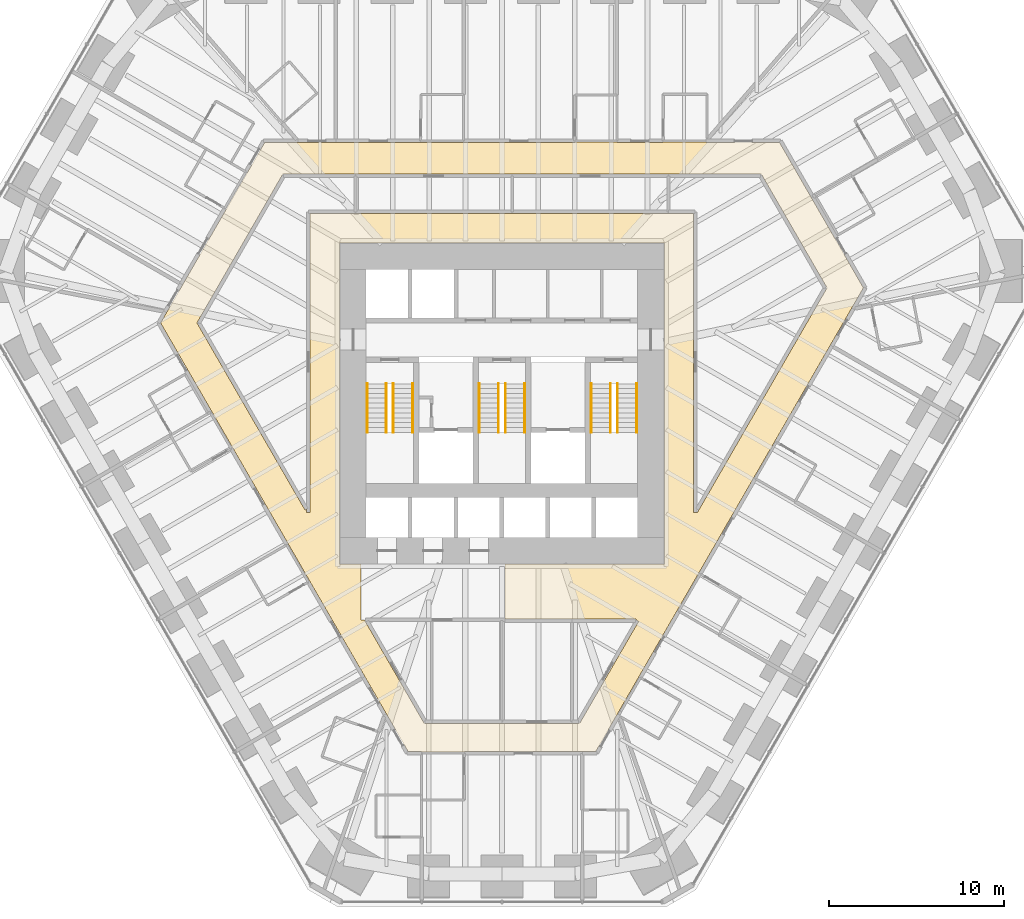
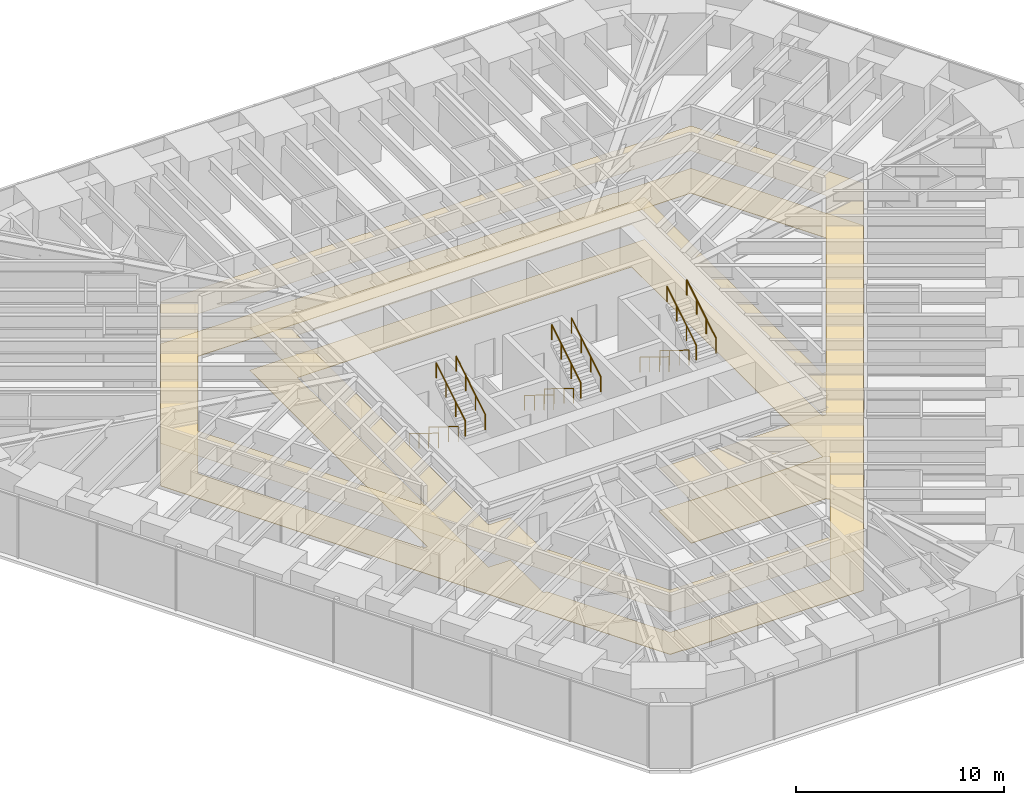
# One storey, part 17 of 17: 12 railings, 2 coverings.
"""IFC4 building model written with IfcOpenShell, lengths in metres."""

from ifc_helpers import new_model, si_unit, direction, frame, origin, origin_2d, place, context, subcontext, project, spatial, polyline, circle, outline, extrude, material, layer, layer_set, type_object, element, save


model = new_model("IFC4")

# Units and contexts
model_context = context("Model", 3, precision=1e-05, world=origin(), true_north=direction((0.0, 1.0)))
body_context = subcontext(model_context, "Body", "Model", "MODEL_VIEW")
ifc_project = project(units=[si_unit("LENGTHUNIT", "METRE"), si_unit("AREAUNIT", "SQUARE_METRE"), si_unit("VOLUMEUNIT", "CUBIC_METRE"), si_unit("PLANEANGLEUNIT", "RADIAN"), si_unit("MASSUNIT", "GRAM", prefix="KILO")], contexts=[model_context])

# Site, building, storey
site_placement = place(None, origin())
site = spatial("IfcSite", under=ifc_project, at=site_placement, CompositionType="ELEMENT")
building_placement = place(site_placement, origin())
building = spatial("IfcBuilding", under=site, at=building_placement, Name="Sandreach Pilgrim Tower", CompositionType="ELEMENT")
storey_placement = place(building_placement, frame((0.0, 0.0, 61.0)))
storey = spatial("IfcBuildingStorey", under=building, at=storey_placement, Name="L14", CompositionType="ELEMENT", Elevation=61.0)

# Covering
ifc_material_1 = material(Name="Gypsum board suspended ceiling on a steel grid", Category="steel")
ifc_layer_1 = layer(ifc_material_1, 0.012939453125)
ifc_layer_set_1 = layer_set([ifc_layer_1], Name="Gypsum board suspended ceiling")
covering_type_1 = type_object("IfcCoveringType", Name="Gypsum board suspended ceiling", PredefinedType="CEILING", material=ifc_layer_set_1)
covering_1_placement = place(storey_placement, frame((0.0, 0.0, 2.5)))
element("IfcCovering", 1, at=covering_1_placement, inside=storey, type_object=covering_type_1, Name="Ceiling 14C Corridor 14", PredefinedType="CEILING", context=body_context, shape_type="SweptSolid", body=[
    extrude(outline(polyline([(-19.49462890625, 3.06005859375), (-13.55224609375, 13.35009765625), (-4.639892578125, 13.35009765625), (-4.639892578125, 13.3642578125), (-2.18994140625, 13.367919921875), (-2.18994140625, 13.35009765625), (4.159912109375, 13.35009765625), (4.159912109375, 13.378173828125), (6.56005859375, 13.3818359375), (6.56005859375, 13.35009765625), (9.2099609375, 13.35009765625), (9.2099609375, 13.38623046875), (11.64990234375, 13.389892578125), (11.64990234375, 13.35009765625), (15.8623046875, 13.35009765625), (20.64453125, 5.059814453125), (5.3623046875, -21.409912109375), (-2.139892578125, -21.409912109375), (-2.139892578125, -21.440185546875), (-4.590087890625, -21.449951171875), (-4.590087890625, -21.409912109375), (-5.3623046875, -21.409912109375), (-19.49462890625, 3.06005859375)]), holes=[polyline([(-17.41552734375, 3.06005859375), (-11.24658203125, -7.61962890625), (-11.14990234375, -7.563720703125), (-11.14990234375, -7.760009765625), (-10.949951171875, -7.760009765625), (-10.949951171875, 9.300048828125), (10.949951171875, 9.300048828125), (10.949951171875, -7.760009765625), (11.16552734375, -7.760009765625), (18.5654296875, 5.06005859375), (14.817626953125, 11.550048828125), (-12.517822265625, 11.550048828125), (-17.41552734375, 3.06005859375)]), polyline([(-8.050048828125, -10.719970703125), (-8.050048828125, -13.89990234375), (-7.8544921875, -13.89990234375), (-4.437744140625, -19.81005859375), (4.437744140625, -19.81005859375), (7.796630859375, -14.0), (7.635009765625, -13.85009765625), (0.179931640625, -13.85009765625), (0.175048828125, -10.719970703125), (9.27001953125, -10.719970703125), (9.27001953125, 7.6201171875), (-9.27001953125, 7.6201171875), (-9.27001953125, -10.719970703125), (-8.050048828125, -10.719970703125)])]), origin(), (0.0, 0.0, 1.0), 0.012939453125),
])

# Railings
ifc_material_2 = material(Name="Stainless steel tube", Category="steel")
railing_type = type_object("IfcRailingType", Name="Stair handrail", PredefinedType="HANDRAIL", material=ifc_material_2)
for number, where, name in (
    (2, (-6.60009765625, -0.39990234375, 0.172607421875), "Handrail ST1 L14 flight 1"),
    (3, (-7.699951171875, -0.39990234375, 0.172607421875), "Handrail ST1 L14 flight 1"),
):
    element("IfcRailing", number, at=place(storey_placement, frame(where)), inside=storey, type_object=railing_type, Name=name, PredefinedType="HANDRAIL", context=body_context, shape_type="SweptSolid", body=[
        extrude(circle(Radius=0.02392578125, at=origin_2d()), frame((0.0, 0.0, 0.8759765625), z_axis=(0.0, -0.851089632645, 0.525020415988), x_axis=(1.0, 0.0, 0.0)), (0.0, 0.0, 1.0), 3.2900390625),
        extrude(circle(Radius=0.02099609375, at=origin_2d()), origin(), (0.0, 0.0, 1.0), 0.851806640625),
        extrude(circle(Radius=0.02099609375, at=origin_2d()), frame((0.0, -0.933349609375, 0.57568359375)), (0.0, 0.0, 1.0), 0.851806640625),
        extrude(circle(Radius=0.02099609375, at=origin_2d()), frame((0.0, -1.86669921875, 1.151611328125)), (0.0, 0.0, 1.0), 0.851806640625),
        extrude(circle(Radius=0.02099609375, at=origin_2d()), frame((0.0, -2.800048828125, 1.727294921875)), (0.0, 0.0, 1.0), 0.851806640625),
    ])
for number, where, name in (
    (4, (-6.199951171875, -3.199951171875, 2.07275390625), "Handrail ST1 L14 flight 2"),
    (5, (-5.10009765625, -3.199951171875, 2.07275390625), "Handrail ST1 L14 flight 2"),
):
    element("IfcRailing", number, at=place(storey_placement, frame(where)), inside=storey, type_object=railing_type, Name=name, PredefinedType="HANDRAIL", context=body_context, shape_type="SweptSolid", body=[
        extrude(circle(Radius=0.02392578125, at=origin_2d()), frame((0.0, 0.0, 0.8759765625), z_axis=(0.0, 0.851089632645, 0.525020415988), x_axis=(-1.0, 0.0, 0.0)), (0.0, 0.0, 1.0), 3.2900390625),
        extrude(circle(Radius=0.02099609375, at=origin_2d()), origin(), (0.0, 0.0, 1.0), 0.851806640625),
        extrude(circle(Radius=0.02099609375, at=origin_2d()), frame((0.0, 0.933349609375, 0.57568359375)), (0.0, 0.0, 1.0), 0.851806640625),
        extrude(circle(Radius=0.02099609375, at=origin_2d()), frame((0.0, 1.86669921875, 1.151611328125)), (0.0, 0.0, 1.0), 0.851806640625),
        extrude(circle(Radius=0.02099609375, at=origin_2d()), frame((0.0, 2.800048828125, 1.727294921875)), (0.0, 0.0, 1.0), 0.851806640625),
    ])
for number, where, name in (
    (6, (-0.199951171875, -0.39990234375, 0.172607421875), "Handrail ST3 L14 flight 1"),
    (7, (-1.300048828125, -0.39990234375, 0.172607421875), "Handrail ST3 L14 flight 1"),
):
    element("IfcRailing", number, at=place(storey_placement, frame(where)), inside=storey, type_object=railing_type, Name=name, PredefinedType="HANDRAIL", context=body_context, shape_type="SweptSolid", body=[
        extrude(circle(Radius=0.02392578125, at=origin_2d()), frame((0.0, 0.0, 0.8759765625), z_axis=(0.0, -0.851089632645, 0.525020415988), x_axis=(1.0, 0.0, 0.0)), (0.0, 0.0, 1.0), 3.2900390625),
        extrude(circle(Radius=0.02099609375, at=origin_2d()), origin(), (0.0, 0.0, 1.0), 0.851806640625),
        extrude(circle(Radius=0.02099609375, at=origin_2d()), frame((0.0, -0.933349609375, 0.57568359375)), (0.0, 0.0, 1.0), 0.851806640625),
        extrude(circle(Radius=0.02099609375, at=origin_2d()), frame((0.0, -1.86669921875, 1.151611328125)), (0.0, 0.0, 1.0), 0.851806640625),
        extrude(circle(Radius=0.02099609375, at=origin_2d()), frame((0.0, -2.800048828125, 1.727294921875)), (0.0, 0.0, 1.0), 0.851806640625),
    ])
for number, where, name in (
    (8, (0.199951171875, -3.199951171875, 2.07275390625), "Handrail ST3 L14 flight 2"),
    (9, (1.300048828125, -3.199951171875, 2.07275390625), "Handrail ST3 L14 flight 2"),
):
    element("IfcRailing", number, at=place(storey_placement, frame(where)), inside=storey, type_object=railing_type, Name=name, PredefinedType="HANDRAIL", context=body_context, shape_type="SweptSolid", body=[
        extrude(circle(Radius=0.02392578125, at=origin_2d()), frame((0.0, 0.0, 0.8759765625), z_axis=(0.0, 0.851089632645, 0.525020415988), x_axis=(-1.0, 0.0, 0.0)), (0.0, 0.0, 1.0), 3.2900390625),
        extrude(circle(Radius=0.02099609375, at=origin_2d()), origin(), (0.0, 0.0, 1.0), 0.851806640625),
        extrude(circle(Radius=0.02099609375, at=origin_2d()), frame((0.0, 0.933349609375, 0.57568359375)), (0.0, 0.0, 1.0), 0.851806640625),
        extrude(circle(Radius=0.02099609375, at=origin_2d()), frame((0.0, 1.86669921875, 1.151611328125)), (0.0, 0.0, 1.0), 0.851806640625),
        extrude(circle(Radius=0.02099609375, at=origin_2d()), frame((0.0, 2.800048828125, 1.727294921875)), (0.0, 0.0, 1.0), 0.851806640625),
    ])
for number, where, name in (
    (10, (6.199951171875, -0.39990234375, 0.172607421875), "Handrail ST2 L14 flight 1"),
    (11, (5.10009765625, -0.39990234375, 0.172607421875), "Handrail ST2 L14 flight 1"),
):
    element("IfcRailing", number, at=place(storey_placement, frame(where)), inside=storey, type_object=railing_type, Name=name, PredefinedType="HANDRAIL", context=body_context, shape_type="SweptSolid", body=[
        extrude(circle(Radius=0.02392578125, at=origin_2d()), frame((0.0, 0.0, 0.8759765625), z_axis=(0.0, -0.851089632645, 0.525020415988), x_axis=(1.0, 0.0, 0.0)), (0.0, 0.0, 1.0), 3.2900390625),
        extrude(circle(Radius=0.02099609375, at=origin_2d()), origin(), (0.0, 0.0, 1.0), 0.851806640625),
        extrude(circle(Radius=0.02099609375, at=origin_2d()), frame((0.0, -0.933349609375, 0.57568359375)), (0.0, 0.0, 1.0), 0.851806640625),
        extrude(circle(Radius=0.02099609375, at=origin_2d()), frame((0.0, -1.86669921875, 1.151611328125)), (0.0, 0.0, 1.0), 0.851806640625),
        extrude(circle(Radius=0.02099609375, at=origin_2d()), frame((0.0, -2.800048828125, 1.727294921875)), (0.0, 0.0, 1.0), 0.851806640625),
    ])
for number, where, name in (
    (12, (6.60009765625, -3.199951171875, 2.07275390625), "Handrail ST2 L14 flight 2"),
    (13, (7.699951171875, -3.199951171875, 2.07275390625), "Handrail ST2 L14 flight 2"),
):
    element("IfcRailing", number, at=place(storey_placement, frame(where)), inside=storey, type_object=railing_type, Name=name, PredefinedType="HANDRAIL", context=body_context, shape_type="SweptSolid", body=[
        extrude(circle(Radius=0.02392578125, at=origin_2d()), frame((0.0, 0.0, 0.8759765625), z_axis=(0.0, 0.851089632645, 0.525020415988), x_axis=(-1.0, 0.0, 0.0)), (0.0, 0.0, 1.0), 3.2900390625),
        extrude(circle(Radius=0.02099609375, at=origin_2d()), origin(), (0.0, 0.0, 1.0), 0.851806640625),
        extrude(circle(Radius=0.02099609375, at=origin_2d()), frame((0.0, 0.933349609375, 0.57568359375)), (0.0, 0.0, 1.0), 0.851806640625),
        extrude(circle(Radius=0.02099609375, at=origin_2d()), frame((0.0, 1.86669921875, 1.151611328125)), (0.0, 0.0, 1.0), 0.851806640625),
        extrude(circle(Radius=0.02099609375, at=origin_2d()), frame((0.0, 2.800048828125, 1.727294921875)), (0.0, 0.0, 1.0), 0.851806640625),
    ])

# Covering
ifc_material_3 = material(Name="Cement terrazzo, ground and polished", Category="terrazzo")
ifc_layer_2 = layer(ifc_material_3, 0.02490234375)
ifc_layer_set_2 = layer_set([ifc_layer_2], Name="Terrazzo")
covering_type_2 = type_object("IfcCoveringType", Name="Terrazzo", PredefinedType="FLOORING", material=ifc_layer_set_2)
covering_2_placement = place(storey_placement, origin())
element("IfcCovering", 14, at=covering_2_placement, inside=storey, type_object=covering_type_2, Name="Floor finish 14C Corridor 14", PredefinedType="FLOORING", context=body_context, shape_type="SweptSolid", body=[
    extrude(outline(polyline([(-19.49462890625, 3.06005859375), (-13.55224609375, 13.35009765625), (-4.639892578125, 13.35009765625), (-4.639892578125, 13.3642578125), (-2.18994140625, 13.367919921875), (-2.18994140625, 13.35009765625), (4.159912109375, 13.35009765625), (4.159912109375, 13.378173828125), (6.56005859375, 13.3818359375), (6.56005859375, 13.35009765625), (9.2099609375, 13.35009765625), (9.2099609375, 13.38623046875), (11.64990234375, 13.389892578125), (11.64990234375, 13.35009765625), (15.8623046875, 13.35009765625), (20.64453125, 5.059814453125), (5.3623046875, -21.409912109375), (-2.139892578125, -21.409912109375), (-2.139892578125, -21.440185546875), (-4.590087890625, -21.449951171875), (-4.590087890625, -21.409912109375), (-5.3623046875, -21.409912109375), (-19.49462890625, 3.06005859375)]), holes=[polyline([(-17.41552734375, 3.06005859375), (-11.24658203125, -7.61962890625), (-11.14990234375, -7.563720703125), (-11.14990234375, -7.760009765625), (-10.949951171875, -7.760009765625), (-10.949951171875, 9.300048828125), (10.949951171875, 9.300048828125), (10.949951171875, -7.760009765625), (11.16552734375, -7.760009765625), (18.5654296875, 5.06005859375), (14.817626953125, 11.550048828125), (-12.517822265625, 11.550048828125), (-17.41552734375, 3.06005859375)]), polyline([(-8.050048828125, -10.719970703125), (-8.050048828125, -13.89990234375), (-7.8544921875, -13.89990234375), (-4.437744140625, -19.81005859375), (4.437744140625, -19.81005859375), (7.796630859375, -14.0), (7.635009765625, -13.85009765625), (0.179931640625, -13.85009765625), (0.175048828125, -10.719970703125), (9.27001953125, -10.719970703125), (9.27001953125, 7.6201171875), (-9.27001953125, 7.6201171875), (-9.27001953125, -10.719970703125), (-8.050048828125, -10.719970703125)])]), origin(), (0.0, 0.0, 1.0), 0.02490234375),
])

save(model, "model.ifc")
